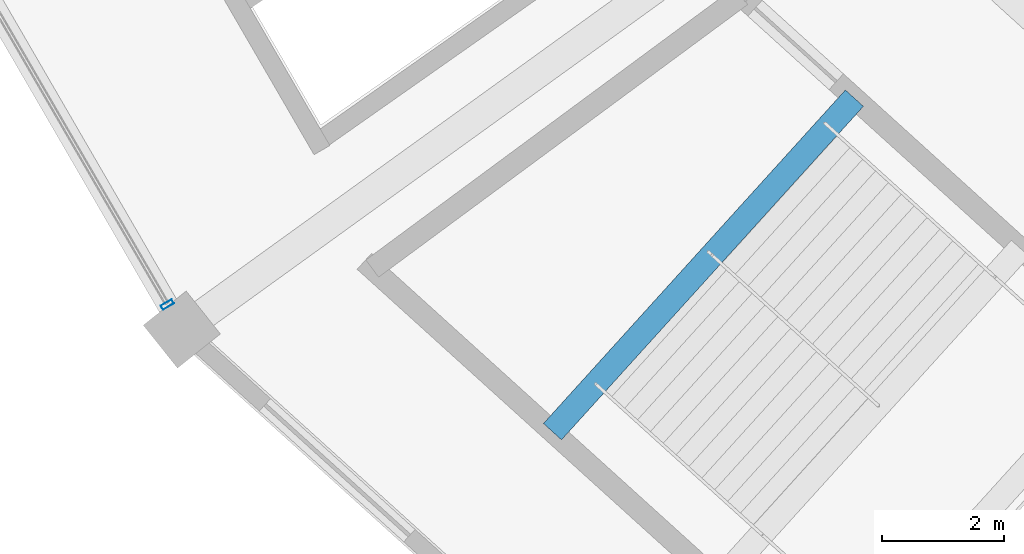
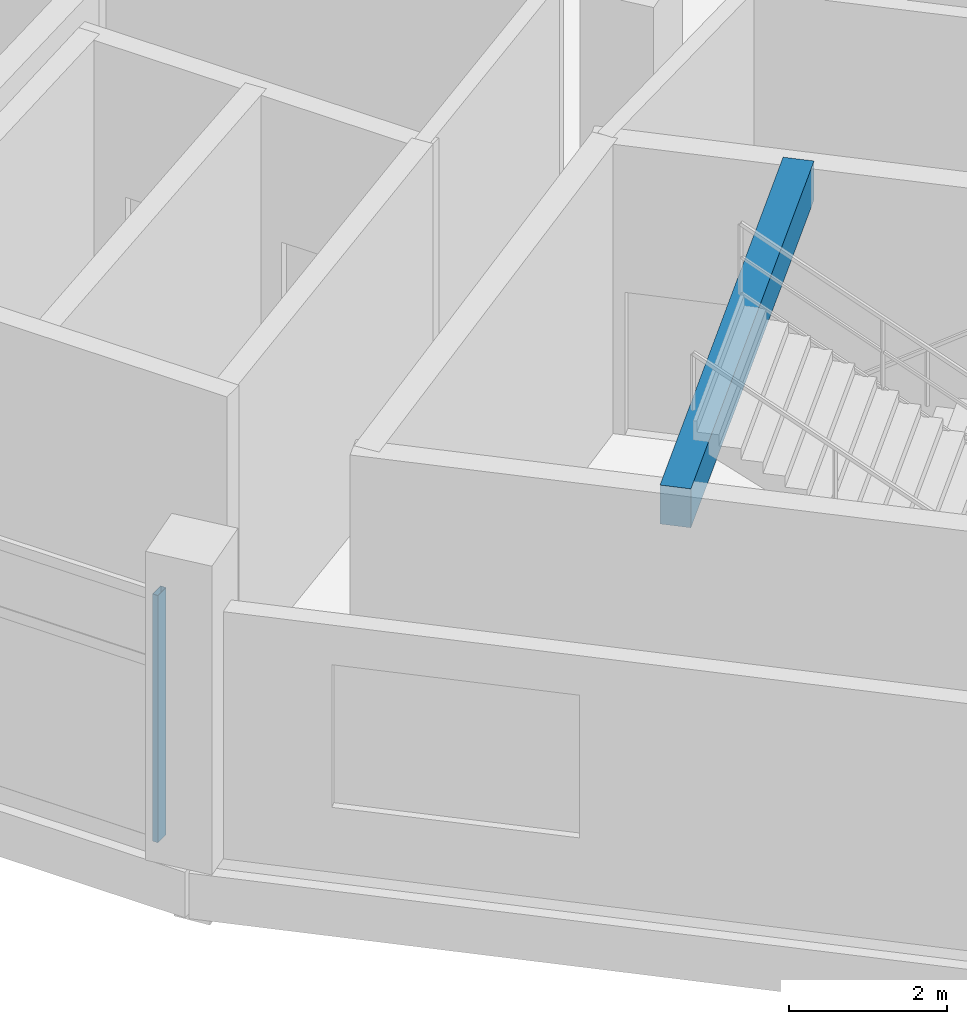
# One storey, part 2 of 171: 1 beam, 1 member, 1 element without a shape of its own.
"""IFC4 building model written with IfcOpenShell, lengths in metres."""

from ifc_helpers import new_model, si_unit, direction, frame, origin, origin_2d, place, context, subcontext, project, spatial, rectangle, hollow_rectangle, extrude, material, layer, layer_set, material_profile, profile_set, type_object, element, aggregate, save


model = new_model("IFC4")

# Units and contexts
model_context = context("Model", 3, precision=1e-05, world=origin(), true_north=direction((0.0, 1.0)))
body_context = subcontext(model_context, "Body", "Model", "MODEL_VIEW")
ifc_project = project(units=[si_unit("LENGTHUNIT", "METRE"), si_unit("AREAUNIT", "SQUARE_METRE"), si_unit("VOLUMEUNIT", "CUBIC_METRE"), si_unit("PLANEANGLEUNIT", "RADIAN"), si_unit("MASSUNIT", "GRAM", prefix="KILO")], contexts=[model_context])

# Site, building, storey
site_placement = place(None, origin())
site = spatial("IfcSite", under=ifc_project, at=site_placement, CompositionType="ELEMENT")
building_placement = place(site_placement, origin())
building = spatial("IfcBuilding", under=site, at=building_placement, Name="Kazemori Nagisa Stadium", CompositionType="ELEMENT")
storey_placement = place(building_placement, frame((0.0, 0.0, 15.639892578125)))
storey = spatial("IfcBuildingStorey", under=building, at=storey_placement, Name="L03", CompositionType="ELEMENT", Elevation=15.639892578125)

# Beam
ifc_material_1 = material(Name="Concrete C40/50 (Fc42)", Category="concrete")
ifc_material_profile_1 = material_profile(ifc_material_1, rectangle(XDim=0.39990234375, YDim=0.60009765625, at=origin_2d()), Name="RC-BM-400x600")
ifc_profile_set_1 = profile_set([ifc_material_profile_1], Name="Concrete C40/50 (Fc42)")
beam_type = type_object("IfcBeamType", Name="Beam_BG-LND400X600", PredefinedType="BEAM", material=ifc_profile_set_1)
beam_placement = place(storey_placement, frame((55.545654296875, 49.1318359375, 4.16015625), z_axis=(-0.671129682405, -0.741339968837, 0.0), x_axis=(0.741339968837, -0.671129682405, 0.0)))
element("IfcBeam", 1, at=beam_placement, inside=storey, type_object=beam_type, Name="Core stair arrival header girder ST03-L03", PredefinedType="BEAM", context=body_context, shape_type="SweptSolid", body=[
    extrude(rectangle(XDim=0.39990234375, YDim=0.60009765625, at=origin_2d()), origin(), (0.0, 0.0, 1.0), 7.3857421875),
])

# Curtain wall, member
ifc_material_2 = material(Name="Anodised aluminium 6063-T5", Category="aluminium")
ifc_layer = layer(ifc_material_2, 0.2099609375, Name="Anodised aluminium 6063-T5", Category="aluminium")
ifc_layer_set = layer_set([ifc_layer], Name="Anodised aluminium 6063-T5")
curtain_wall_type = type_object("IfcCurtainWallType", Name="CW_L03R3_99", PredefinedType="USERDEFINED", material=ifc_layer_set)
curtain_wall_placement = place(storey_placement, origin())
curtain_wall = element("IfcCurtainWall", 2, at=curtain_wall_placement, inside=storey, type_object=curtain_wall_type, Name="Unitised curtain wall CW-L03R3-99 L03", ObjectType="UNITISED CURTAIN WALL", PredefinedType="USERDEFINED")
ifc_material_3 = material(Name="Aluminium 6063-T5 anodised", Category="aluminium")
ifc_material_profile_2 = material_profile(ifc_material_3, hollow_rectangle(XDim=0.080078125, YDim=0.2099609375, WallThickness=0.0048828125, at=origin_2d()), Name="ALU-MULL-80x210x5")
ifc_profile_set_2 = profile_set([ifc_material_profile_2], Name="Aluminium 6063-T5 anodised")
member_type = type_object("IfcMemberType", Name="Mullion_M02", PredefinedType="MULLION", material=ifc_profile_set_2)
member_placement = place(storey_placement, frame((44.266357421875, 45.7431640625, 0.0), z_axis=(0.0, 0.0, 1.0), x_axis=(0.501611590054, -0.865092950337, 0.0)))
member = element("IfcMember", 3, at=member_placement, type_object=member_type, Name="Curtain wall mullion CW-L03R3-99-M4", PredefinedType="MULLION", context=body_context, shape_type="SweptSolid", body=[
    extrude(hollow_rectangle(XDim=0.080078125, YDim=0.2099609375, WallThickness=0.0048828125, at=origin_2d()), origin(), (0.0, 0.0, 1.0), 3.81005859375),
])
aggregate(curtain_wall, [member])

save(model, "model.ifc")
